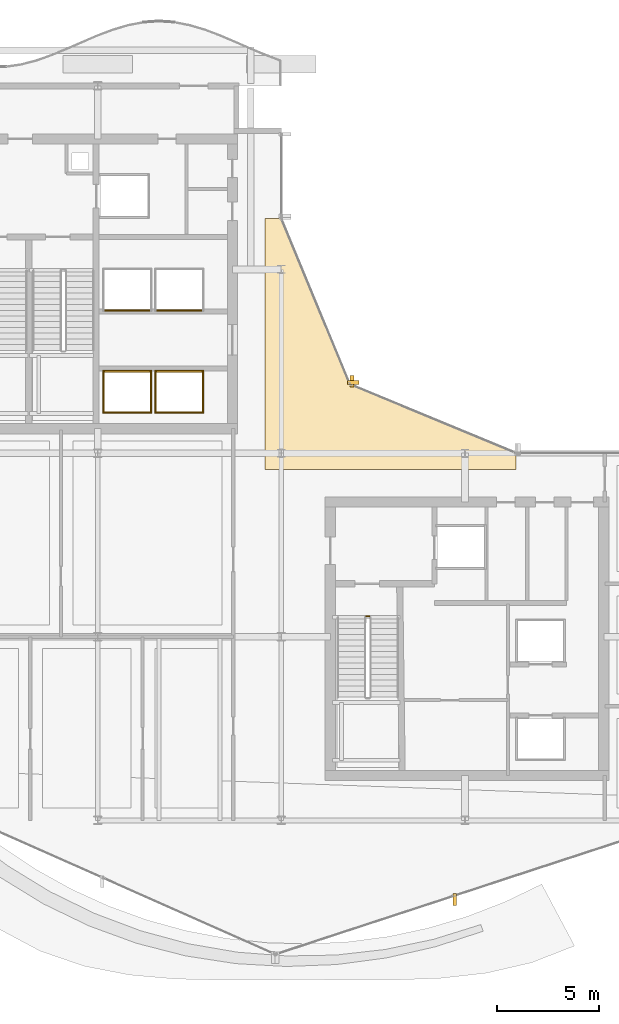
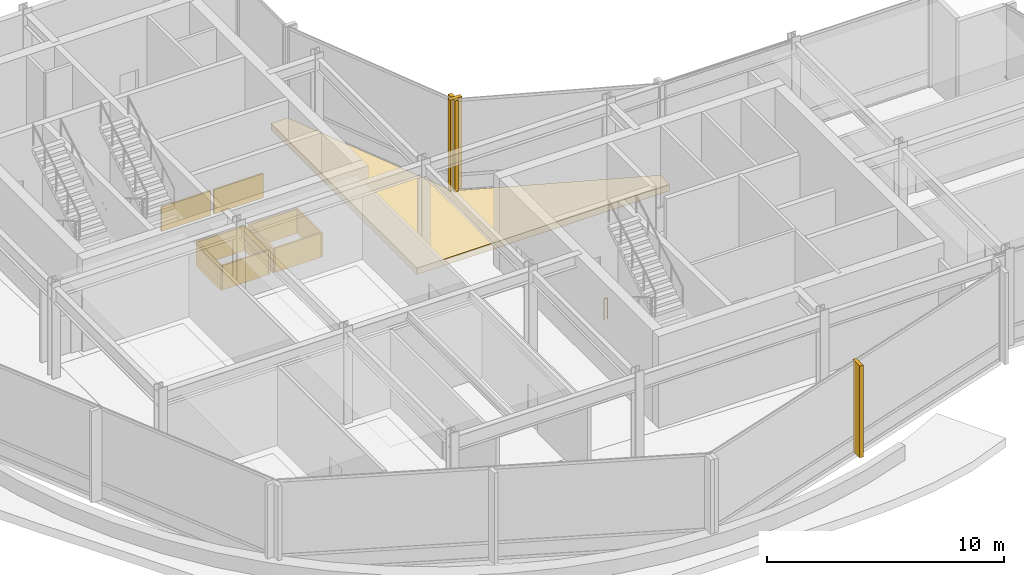
# One storey, part 26 of 29: 14 coverings, 1 railing.
"""IFC4 building model written with IfcOpenShell, lengths in metres."""

import ifcopenshell
import ifcopenshell.guid

model = None  # the IFC model being written
_history = None  # IfcOwnerHistory: only IFC2X3 demands one
_inside = {}  # id of a spatial element -> (the spatial element, [elements in it])
_under = {}  # id of a project, library or spatial element -> (it, [spatial elements below it])
_declared = {}  # id of a project -> (the project, [libraries it declares])
_typed = {}  # id of a type object -> (the type object, [elements of that type])
_made_of = {}  # id of a material, layer set ... -> (it, [elements and type objects made of it])


def new_model(schema):
    """Start an empty IFC model of exactly this schema.

    Asked for "IFC4X3", IfcOpenShell would pick the latest addendum, in which some entities
    have other attributes; the version numbers below select the first issue.
    IFC2X3 requires an IfcOwnerHistory on every rooted entity: one is made here for all.
    """
    global model, _history
    if schema == "IFC4X3":
        model = ifcopenshell.file(schema_version=(4, 3, 0, 0))
    else:
        model = ifcopenshell.file(schema=schema)
    _inside.clear()
    _under.clear()
    _declared.clear()
    _typed.clear()
    _made_of.clear()
    _history = None
    if model.schema == "IFC2X3":
        org = make("IfcOrganization", Name="unknown")
        user = make(
            "IfcPersonAndOrganization",
            ThePerson=make("IfcPerson", FamilyName="unknown"),
            TheOrganization=org,
        )
        app = make(
            "IfcApplication",
            ApplicationDeveloper=org,
            Version="unknown",
            ApplicationFullName="unknown",
            ApplicationIdentifier="unknown",
        )
        _history = make(
            "IfcOwnerHistory",
            OwningUser=user,
            OwningApplication=app,
            ChangeAction="ADDED",
            CreationDate=0,
        )
    return model


def make(cls, **values):
    """One entity of the class cls with the attributes given. An attribute that is None is left unset."""
    return model.create_entity(
        cls, **{name: value for name, value in values.items() if value is not None}
    )


def rooted(cls, **values):
    """An entity with a GlobalId (a new one), such as an element, a storey or a relation."""
    return make(cls, GlobalId=ifcopenshell.guid.new(), OwnerHistory=_history, **values)


def si_unit(unit_type, name, prefix=None):
    """IfcSIUnit, for example si_unit("LENGTHUNIT", "METRE", prefix="MILLI")."""
    return make("IfcSIUnit", UnitType=unit_type, Prefix=prefix, Name=name)


def assignment(units):
    """IfcUnitAssignment: the units of a project."""
    return None if units is None else make("IfcUnitAssignment", Units=units)


def point(xyz):
    """IfcCartesianPoint."""
    return None if xyz is None else make("IfcCartesianPoint", Coordinates=xyz)


def direction(xyz):
    """IfcDirection."""
    return None if xyz is None else make("IfcDirection", DirectionRatios=xyz)


def frame(location, z_axis=None, x_axis=None):
    """IfcAxis2Placement3D, a coordinate frame: its origin and axes. An axis left out is left unset."""
    return make(
        "IfcAxis2Placement3D",
        Location=point(location),
        Axis=direction(z_axis),
        RefDirection=direction(x_axis),
    )


def frame_2d(location, x_axis=None):
    """IfcAxis2Placement2D, a coordinate frame in the plane: its origin and x axis."""
    return make(
        "IfcAxis2Placement2D", Location=point(location), RefDirection=direction(x_axis)
    )


def origin():
    """The frame at (0, 0, 0) with its axes left unset."""
    return frame((0.0, 0.0, 0.0))


def origin_2d():
    """The frame at (0, 0) in the plane with its x axis left unset."""
    return frame_2d((0.0, 0.0))


def place(relative_to, where):
    """IfcLocalPlacement: puts the frame where relative to a parent placement (None: the world)."""
    return make(
        "IfcLocalPlacement", PlacementRelTo=relative_to, RelativePlacement=where
    )


def context(
    kind, dimensions, precision=None, world=None, true_north=None, identifier=None
):
    """IfcGeometricRepresentationContext, for example the 3D "Model" context."""
    return make(
        "IfcGeometricRepresentationContext",
        ContextIdentifier=identifier,
        ContextType=kind,
        CoordinateSpaceDimension=dimensions,
        Precision=precision,
        WorldCoordinateSystem=world,
        TrueNorth=true_north,
    )


def subcontext(parent, identifier, kind, view, scale=None):
    """IfcGeometricRepresentationSubContext, for example "Body" below "Model"."""
    return make(
        "IfcGeometricRepresentationSubContext",
        ContextIdentifier=identifier,
        ContextType=kind,
        ParentContext=parent,
        TargetScale=scale,
        TargetView=view,
    )


def project(units=None, contexts=None):
    """IfcProject with its units and contexts."""
    return rooted(
        "IfcProject",
        Name="project",
        RepresentationContexts=contexts,
        UnitsInContext=assignment(units),
    )


def spatial(cls, under=None, at=None, **own):
    """A site, building, storey or space (cls), placed at a placement, below another one or the project."""
    s = rooted(cls, ObjectPlacement=at, **own)
    if under is not None:
        _under.setdefault(under.id(), (under, []))[1].append(s)
    return s


def polyline(points):
    """IfcPolyline through the points."""
    return make("IfcPolyline", Points=[point(p) for p in points])


def profile(cls, at=None, kind="AREA", **sizes):
    """A parametric profile (cls). Its sizes go by their IFC names, for example OverallWidth=200.0."""
    return make(cls, ProfileType=kind, Position=at, **sizes)


def rectangle(**sizes):
    """IfcRectangleProfileDef."""
    return profile("IfcRectangleProfileDef", **sizes)


def circle(**sizes):
    """IfcCircleProfileDef."""
    return profile("IfcCircleProfileDef", **sizes)


def outline(outer, holes=None, kind="AREA"):
    """IfcArbitraryClosedProfileDef: a profile drawn as a closed curve; with holes, ...WithVoids."""
    if holes is None:
        return make("IfcArbitraryClosedProfileDef", ProfileType=kind, OuterCurve=outer)
    return make(
        "IfcArbitraryProfileDefWithVoids",
        ProfileType=kind,
        OuterCurve=outer,
        InnerCurves=holes,
    )


def extrude(swept, where, along, depth):
    """IfcExtrudedAreaSolid: the profile swept, set in the frame where, extruded along a direction by depth."""
    return make(
        "IfcExtrudedAreaSolid",
        SweptArea=swept,
        Position=where,
        ExtrudedDirection=direction(along),
        Depth=depth,
    )


def shape(context_of_items, identifier, shape_type, items):
    """IfcShapeRepresentation: the items that make up one representation, for example the "Body"."""
    return make(
        "IfcShapeRepresentation",
        ContextOfItems=context_of_items,
        RepresentationIdentifier=identifier,
        RepresentationType=shape_type,
        Items=items,
    )


def material(Name=None, Category=None):
    """IfcMaterial."""
    return make("IfcMaterial", Name=Name, Category=Category)


def layer(
    of_material, thickness, ventilated=None, Name=None, Category=None, Priority=None
):
    """IfcMaterialLayer: one layer of a wall or slab, of a material (None: an air gap)."""
    return make(
        "IfcMaterialLayer",
        Material=of_material,
        LayerThickness=thickness,
        IsVentilated=ventilated,
        Name=Name,
        Category=Category,
        Priority=Priority,
    )


def layer_set(layers, Name=None):
    """IfcMaterialLayerSet."""
    return make("IfcMaterialLayerSet", MaterialLayers=layers, LayerSetName=Name)


def made_of(thing, what):
    """Note that an element or type object is made of a material, layer set ...; save() writes the relation."""
    if what is not None:
        _made_of.setdefault(what.id(), (what, []))[1].append(thing)
    return thing


def type_object(cls, material=None, **own):
    """A type object (cls), such as IfcWallType, which elements share."""
    return made_of(rooted(cls, **own), material)


def element(
    cls,
    number,
    at=None,
    inside=None,
    cuts=None,
    type_object=None,
    material=None,
    context=None,
    identifier="Body",
    shape_type=None,
    held_by="IfcProductDefinitionShape",
    body=None,
    shapes=None,
    **own,
):
    """One element of the class cls, such as IfcWall. Its Tag is "e" and its number.

    at: its placement. inside: the storey or other place that contains it. cuts: it is an
    opening in that element (IfcRelVoidsElement). A single representation is given by context,
    identifier, shape_type and body (its items); several are given by shapes. held_by: the class
    of the entity that holds the representations. save() writes the other relations.
    """
    e = rooted(cls, Tag="e%d" % number, ObjectPlacement=at, **own)
    if body is not None:
        shapes = [shape(context, identifier, shape_type, body)]
    if shapes is not None:
        e.Representation = make(held_by, Representations=shapes)
    if inside is not None:
        _inside.setdefault(inside.id(), (inside, []))[1].append(e)
    if cuts is not None:
        rooted(
            "IfcRelVoidsElement", RelatingBuildingElement=cuts, RelatedOpeningElement=e
        )
    if type_object is not None:
        _typed.setdefault(type_object.id(), (type_object, []))[1].append(e)
    return made_of(e, material)


def aggregate(whole, parts):
    """IfcRelAggregates: a whole, such as a stair, and the parts it consists of."""
    return rooted("IfcRelAggregates", RelatingObject=whole, RelatedObjects=parts)


def save(model, path):
    """Write the relations noted so far, then the file.

    IfcRelAggregates (storeys below a building ...), IfcRelContainedInSpatialStructure (elements
    in a storey), IfcRelDefinesByType, IfcRelAssociatesMaterial and IfcRelDeclares: one each for
    every whole, place, type object, material and project.
    """
    for whole, parts in _under.values():
        aggregate(whole, parts)
    for where, things in _inside.values():
        rooted(
            "IfcRelContainedInSpatialStructure",
            RelatedElements=things,
            RelatingStructure=where,
        )
    for kind, things in _typed.values():
        rooted("IfcRelDefinesByType", RelatedObjects=things, RelatingType=kind)
    for what, things in _made_of.values():
        rooted("IfcRelAssociatesMaterial", RelatedObjects=things, RelatingMaterial=what)
    for by, libraries in _declared.values():
        rooted("IfcRelDeclares", RelatingContext=by, RelatedDefinitions=libraries)
    model.write(path)


model = new_model("IFC4")

# Units and contexts
model_context = context("Model", 3, precision=1e-05, world=origin(), true_north=direction((0.0, 1.0)))
body_context = subcontext(model_context, "Body", "Model", "MODEL_VIEW")
ifc_project = project(units=[si_unit("LENGTHUNIT", "METRE"), si_unit("AREAUNIT", "SQUARE_METRE"), si_unit("VOLUMEUNIT", "CUBIC_METRE"), si_unit("PLANEANGLEUNIT", "RADIAN"), si_unit("MASSUNIT", "GRAM", prefix="KILO")], contexts=[model_context])

# Site, building, storey
site_placement = place(None, origin())
site = spatial("IfcSite", under=ifc_project, at=site_placement, CompositionType="ELEMENT")
building_placement = place(site_placement, origin())
building = spatial("IfcBuilding", under=site, at=building_placement, Name="Solvaryn Broadcast Tower", CompositionType="ELEMENT")
storey_placement = place(building_placement, frame((0.0, 0.0, 169.199951171875)))
storey = spatial("IfcBuildingStorey", under=building, at=storey_placement, Name="L42", CompositionType="ELEMENT", Elevation=169.199951171875)

# Coverings
ifc_material_1 = material(Name="Fire-Rated Gypsum Shaftwall Liner", Category="concrete")
ifc_layer_1 = layer(ifc_material_1, 0.080078125)
ifc_layer_set_1 = layer_set([ifc_layer_1], Name="CV-SHAFT-LINER")
covering_type_1 = type_object("IfcCoveringType", Name="CV-SHAFT-LINER", PredefinedType="CLADDING", material=ifc_layer_set_1)
for number, where, z_axis, x_axis, name in (
    (1, (19.449951171875, 31.014892578125, 0.0), (0.0, 0.0, 1.0), (1.0, 0.0, 0.0), "L42 PH1 Hoistway Shaft Liner North"),
    (2, (19.449951171875, 28.985107421875, 0.0), (0.0, 0.0, 1.0), (1.0, 0.0, 0.0), "L42 PH1 Hoistway Shaft Liner South"),
):
    element("IfcCovering", number, at=place(storey_placement, frame(where, z_axis=z_axis, x_axis=x_axis)), inside=storey, type_object=covering_type_1, Name=name, PredefinedType="CLADDING", context=body_context, shape_type="SweptSolid", body=[
        extrude(rectangle(XDim=2.409912109375, YDim=0.080078125, at=origin_2d()), origin(), (0.0, 0.0, 1.0), 1.25),
    ])
for number, where, z_axis, x_axis, name in (
    (3, (20.614990234375, 30.0, 0.0), (0.0, 0.0, 1.0), (1.0, 0.0, 0.0), "L42 PH1 Hoistway Shaft Liner East"),
    (4, (18.284912109375, 30.0, 0.0), (0.0, 0.0, 1.0), (1.0, 0.0, 0.0), "L42 PH1 Hoistway Shaft Liner West"),
):
    element("IfcCovering", number, at=place(storey_placement, frame(where, z_axis=z_axis, x_axis=x_axis)), inside=storey, type_object=covering_type_1, Name=name, PredefinedType="CLADDING", context=body_context, shape_type="SweptSolid", body=[
        extrude(rectangle(XDim=0.080078125, YDim=2.110107421875, at=origin_2d()), origin(), (0.0, 0.0, 1.0), 1.25),
    ])
for number, where, z_axis, x_axis, name in (
    (5, (22.0, 31.014892578125, 0.0), (0.0, 0.0, 1.0), (1.0, 0.0, 0.0), "L42 PH2 Hoistway Shaft Liner North"),
    (6, (22.0, 28.985107421875, 0.0), (0.0, 0.0, 1.0), (1.0, 0.0, 0.0), "L42 PH2 Hoistway Shaft Liner South"),
):
    element("IfcCovering", number, at=place(storey_placement, frame(where, z_axis=z_axis, x_axis=x_axis)), inside=storey, type_object=covering_type_1, Name=name, PredefinedType="CLADDING", context=body_context, shape_type="SweptSolid", body=[
        extrude(rectangle(XDim=2.409912109375, YDim=0.080078125, at=origin_2d()), origin(), (0.0, 0.0, 1.0), 1.25),
    ])
for number, where, z_axis, x_axis, name in (
    (7, (23.1650390625, 30.0, 0.0), (0.0, 0.0, 1.0), (1.0, 0.0, 0.0), "L42 PH2 Hoistway Shaft Liner East"),
    (8, (20.8349609375, 30.0, 0.0), (0.0, 0.0, 1.0), (1.0, 0.0, 0.0), "L42 PH2 Hoistway Shaft Liner West"),
):
    element("IfcCovering", number, at=place(storey_placement, frame(where, z_axis=z_axis, x_axis=x_axis)), inside=storey, type_object=covering_type_1, Name=name, PredefinedType="CLADDING", context=body_context, shape_type="SweptSolid", body=[
        extrude(rectangle(XDim=0.080078125, YDim=2.110107421875, at=origin_2d()), origin(), (0.0, 0.0, 1.0), 1.25),
    ])
for number, where, z_axis, x_axis, name in (
    (9, (19.449951171875, 33.985107421875, 0.0), (0.0, 0.0, 1.0), (1.0, 0.0, 0.0), "L42 PH3 Hoistway Shaft Liner South"),
    (10, (22.0, 33.985107421875, 0.0), (0.0, 0.0, 1.0), (1.0, 0.0, 0.0), "L42 PH4 Hoistway Shaft Liner South"),
):
    element("IfcCovering", number, at=place(storey_placement, frame(where, z_axis=z_axis, x_axis=x_axis)), inside=storey, type_object=covering_type_1, Name=name, PredefinedType="CLADDING", context=body_context, shape_type="SweptSolid", body=[
        extrude(rectangle(XDim=2.409912109375, YDim=0.080078125, at=origin_2d()), origin(), (0.0, 0.0, 1.0), 1.25),
    ])
ifc_material_2 = material(Name="Extruded Architectural Terracotta Fin", Category="masonry")
ifc_layer_2 = layer(ifc_material_2, 0.179931640625)
ifc_layer_set_2 = layer_set([ifc_layer_2], Name="CV-TC-FIN")
covering_type_2 = type_object("IfcCoveringType", Name="CV-TC-FIN", PredefinedType="USERDEFINED", material=ifc_layer_set_2)
for number, where, z_axis, x_axis, name in (
    (11, (35.500244140625, 5.126953125, 0.0), (0.0, 0.0, 1.0), (1.0, 0.0, 0.0), "L42 Terracotta Vertical Fin FIN-L42-DR4-M01"),
    (12, (30.464599609375, 30.52294921875, 0.0), (0.0, 0.0, 1.0), (1.0, 0.0, 0.0), "L42 Terracotta Vertical Fin FIN-L42-CN1-M01"),
):
    element("IfcCovering", number, at=place(storey_placement, frame(where, z_axis=z_axis, x_axis=x_axis)), inside=storey, type_object=covering_type_2, Name=name, ObjectType="FIN", PredefinedType="USERDEFINED", context=body_context, shape_type="SweptSolid", body=[
        extrude(rectangle(XDim=0.179931640625, YDim=0.580078125, at=origin_2d()), origin(), (0.0, 0.0, 1.0), 4.719970703125),
    ])
covering_1_placement = place(storey_placement, frame((30.52294921875, 30.464599609375, 0.0), z_axis=(0.0, 0.0, 1.0), x_axis=(1.0, 0.0, 0.0)))
element("IfcCovering", 13, at=covering_1_placement, inside=storey, type_object=covering_type_2, Name="L42 Terracotta Vertical Fin FIN-L42-CN2-M00", ObjectType="FIN", PredefinedType="USERDEFINED", context=body_context, shape_type="SweptSolid", body=[
    extrude(rectangle(XDim=0.580078125, YDim=0.179931640625, at=origin_2d()), origin(), (0.0, 0.0, 1.0), 4.719970703125),
])
ifc_material_3 = material(Name="Sculpted Architectural Terracotta Wave Fascia", Category="masonry")
ifc_layer_3 = layer(ifc_material_3, 0.340087890625)
ifc_layer_set_3 = layer_set([ifc_layer_3], Name="CV-WAVE-TRAY")
covering_type_3 = type_object("IfcCoveringType", Name="CV-WAVE-TRAY", PredefinedType="CLADDING", material=ifc_layer_set_3)
covering_2_placement = place(storey_placement, frame((0.0, 0.0, -0.300048828125)))
element("IfcCovering", 14, at=covering_2_placement, inside=storey, type_object=covering_type_3, Name="L42 Concave Canyon Floor Apron", PredefinedType="CLADDING", context=body_context, shape_type="SweptSolid", body=[
    extrude(outline(polyline([(26.199951171875, 26.199951171875), (38.5, 26.199951171875), (38.5, 27.0), (30.367919921875, 30.367919921875), (27.0, 38.5), (26.199951171875, 38.5), (26.199951171875, 26.199951171875)])), origin(), (0.0, 0.0, 1.0), 0.330078125),
])

# Railing
ifc_material_4 = material(Name="Painted Steel Stair Well Guard", Category="steel")
railing_type = type_object("IfcRailingType", Name="RL-STAIR-GUARD", PredefinedType="BALUSTRADE", material=ifc_material_4)
railing_placement = place(storey_placement, frame((31.159912109375, 19.010009765625, 0.0)))
element("IfcRailing", 15, at=railing_placement, inside=storey, type_object=railing_type, Name="L42 ST3 stair guard 4", PredefinedType="BALUSTRADE", context=body_context, shape_type="SweptSolid", body=[
    extrude(circle(Radius=0.02392578125, at=origin_2d()), frame((0.0, 0.0, 1.076171875), z_axis=(1.0, 0.0, 0.0), x_axis=(0.0, 1.0, 0.0)), (0.0, 0.0, 1.0), 0.150146484375),
    extrude(circle(Radius=0.02099609375, at=origin_2d()), origin(), (0.0, 0.0, 1.0), 1.052001953125),
    extrude(circle(Radius=0.02099609375, at=origin_2d()), frame((0.150146484375, 0.0, 0.0)), (0.0, 0.0, 1.0), 1.052001953125),
])

save(model, "model.ifc")
